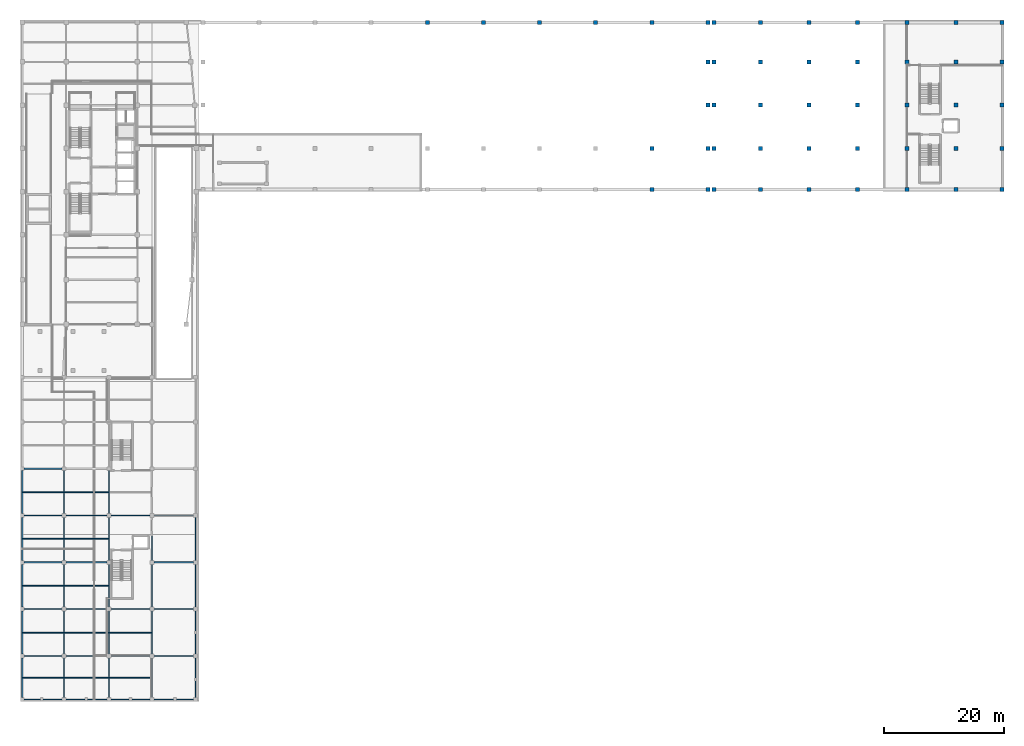
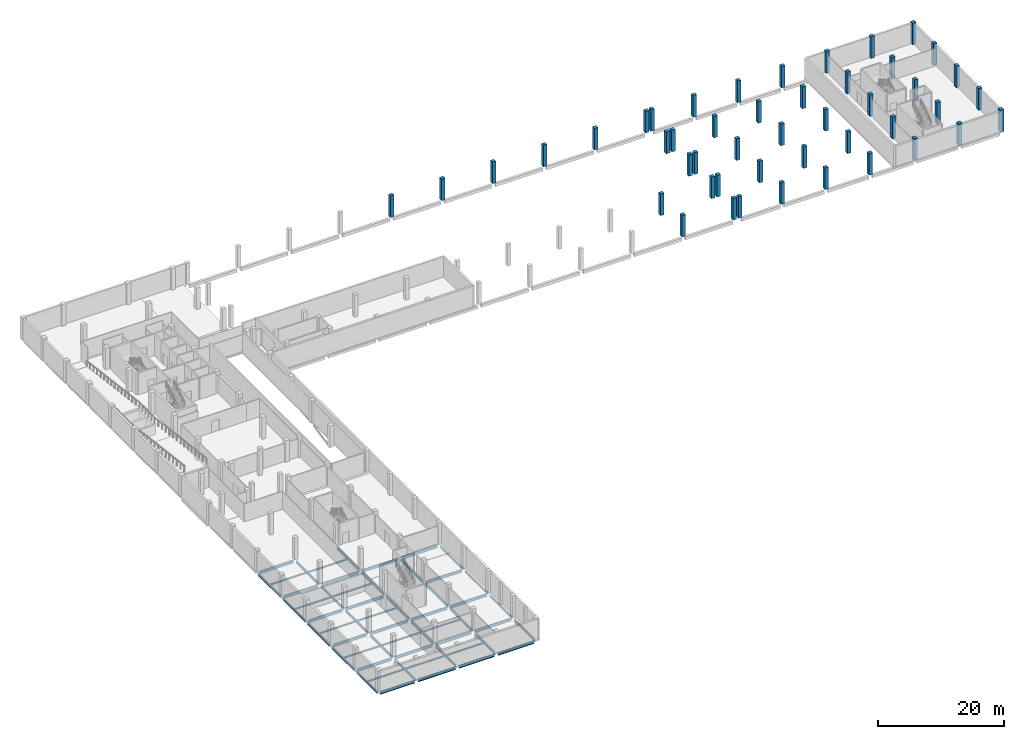
# One storey, part 2 of 15: 55 beams, 47 columns.
"""IFC4 building model written with IfcOpenShell, lengths in metres."""

from ifc_helpers import new_model, si_unit, direction, frame, origin, origin_2d, place, context, subcontext, project, spatial, rectangle, i_section, extrude, material, material_profile, profile_set, type_object, element, save


model = new_model("IFC4")

# Units and contexts
model_context = context("Model", 3, precision=1e-05, world=origin(), true_north=direction((0.0, 1.0)))
body_context = subcontext(model_context, "Body", "Model", "MODEL_VIEW")
ifc_project = project(units=[si_unit("LENGTHUNIT", "METRE"), si_unit("AREAUNIT", "SQUARE_METRE"), si_unit("VOLUMEUNIT", "CUBIC_METRE"), si_unit("PLANEANGLEUNIT", "RADIAN"), si_unit("MASSUNIT", "GRAM", prefix="KILO")], contexts=[model_context])

# Site, building, storey
site_placement = place(None, origin())
site = spatial("IfcSite", under=ifc_project, at=site_placement, CompositionType="ELEMENT")
building_placement = place(site_placement, origin())
building = spatial("IfcBuilding", under=site, at=building_placement, Name="Quillay Park Conservatory", CompositionType="ELEMENT")
storey_placement = place(building_placement, frame((0.0, 0.0, -4.199951171875)))
storey = spatial("IfcBuildingStorey", under=building, at=storey_placement, Name="B1", CompositionType="ELEMENT", Elevation=-4.199951171875)

# Columns
ifc_material_1 = material(Name="Concrete C40/50 (NCh170 Concrete C40/50)", Category="concrete")
ifc_material_profile_1 = material_profile(ifc_material_1, rectangle(XDim=0.64990234375, YDim=0.64990234375, at=origin_2d()), Name="RC650x650")
ifc_profile_set_1 = profile_set([ifc_material_profile_1], Name="Concrete C40/50 (NCh170 Concrete C40/50)")
column_type = type_object("IfcColumnType", Name="REINFORCED CONCRETE COLUMN 650", PredefinedType="COLUMN", material=ifc_profile_set_1)
for number, where, z_axis, x_axis, name in (
    (1, (68.072265625, 113.39990234375, 0.0), (0.0, 0.0, 1.0), (1.0, 0.0, 0.0), "B1 column COL-V1-B1-4-2"),
    (2, (77.427734375, 113.39990234375, 0.0), (0.0, 0.0, 1.0), (1.0, 0.0, 0.0), "B1 column COL-V1-B1-5-2"),
    (3, (86.783203125, 113.39990234375, 0.0), (0.0, 0.0, 1.0), (1.0, 0.0, 0.0), "B1 column COL-V1-B1-6-2"),
    (4, (96.138916015625, 113.39990234375, 0.0), (0.0, 0.0, 1.0), (1.0, 0.0, 0.0), "B1 column COL-V1-B1-7-2"),
    (5, (105.494384765625, 85.550048828125, 0.0), (0.0, 0.0, 1.0), (1.0, 0.0, 0.0), "B1 column COL-V1-B1-8-0"),
    (6, (105.494384765625, 92.39990234375, 0.0), (0.0, 0.0, 1.0), (1.0, 0.0, 0.0), "B1 column COL-V1-B1-8-1"),
    (7, (105.494384765625, 113.39990234375, 0.0), (0.0, 0.0, 1.0), (1.0, 0.0, 0.0), "B1 column COL-V1-B1-8-2"),
    (8, (114.85009765625, 85.550048828125, 0.0), (0.0, 0.0, 1.0), (1.0, 0.0, 0.0), "B1 column COL-V1-B1-9-0"),
    (9, (114.85009765625, 92.39990234375, 0.0), (0.0, 0.0, 1.0), (1.0, 0.0, 0.0), "B1 column COL-V1-B1-9-1"),
    (10, (114.85009765625, 113.39990234375, 0.0), (0.0, 0.0, 1.0), (1.0, 0.0, 0.0), "B1 column COL-V1-B1-9-2"),
    (11, (114.85009765625, 99.60009765625, 0.0), (0.0, 0.0, 1.0), (1.0, 0.0, 0.0), "B1 column COL-V1E-B1-E-0"),
    (12, (114.85009765625, 106.800048828125, 0.0), (0.0, 0.0, 1.0), (1.0, 0.0, 0.0), "B1 column COL-V1E-B1-E-1"),
    (13, (115.85009765625, 85.550048828125, 0.0), (0.0, 0.0, 1.0), (1.0, 0.0, 0.0), "B1 column COL-V2-B1-0-0"),
    (14, (115.85009765625, 92.39990234375, 0.0), (0.0, 0.0, 1.0), (1.0, 0.0, 0.0), "B1 column COL-V2-B1-0-1"),
    (15, (115.85009765625, 99.60009765625, 0.0), (0.0, 0.0, 1.0), (1.0, 0.0, 0.0), "B1 column COL-V2-B1-0-2"),
    (16, (115.85009765625, 106.800048828125, 0.0), (0.0, 0.0, 1.0), (1.0, 0.0, 0.0), "B1 column COL-V2-B1-0-3"),
    (17, (115.85009765625, 113.39990234375, 0.0), (0.0, 0.0, 1.0), (1.0, 0.0, 0.0), "B1 column COL-V2-B1-0-4"),
    (18, (123.60009765625, 85.550048828125, 0.0), (0.0, 0.0, 1.0), (1.0, 0.0, 0.0), "B1 column COL-V2-B1-1-0"),
    (19, (123.60009765625, 92.39990234375, 0.0), (0.0, 0.0, 1.0), (1.0, 0.0, 0.0), "B1 column COL-V2-B1-1-1"),
    (20, (123.60009765625, 99.60009765625, 0.0), (0.0, 0.0, 1.0), (1.0, 0.0, 0.0), "B1 column COL-V2-B1-1-2"),
    (21, (123.60009765625, 106.800048828125, 0.0), (0.0, 0.0, 1.0), (1.0, 0.0, 0.0), "B1 column COL-V2-B1-1-3"),
    (22, (123.60009765625, 113.39990234375, 0.0), (0.0, 0.0, 1.0), (1.0, 0.0, 0.0), "B1 column COL-V2-B1-1-4"),
    (23, (131.699951171875, 85.550048828125, 0.0), (0.0, 0.0, 1.0), (1.0, 0.0, 0.0), "B1 column COL-V2-B1-2-0"),
    (24, (131.699951171875, 92.39990234375, 0.0), (0.0, 0.0, 1.0), (1.0, 0.0, 0.0), "B1 column COL-V2-B1-2-1"),
    (25, (131.699951171875, 99.60009765625, 0.0), (0.0, 0.0, 1.0), (1.0, 0.0, 0.0), "B1 column COL-V2-B1-2-2"),
    (26, (131.699951171875, 106.800048828125, 0.0), (0.0, 0.0, 1.0), (1.0, 0.0, 0.0), "B1 column COL-V2-B1-2-3"),
    (27, (131.699951171875, 113.39990234375, 0.0), (0.0, 0.0, 1.0), (1.0, 0.0, 0.0), "B1 column COL-V2-B1-2-4"),
    (28, (139.800048828125, 85.550048828125, 0.0), (0.0, 0.0, 1.0), (1.0, 0.0, 0.0), "B1 column COL-V2-B1-3-0"),
    (29, (139.800048828125, 92.39990234375, 0.0), (0.0, 0.0, 1.0), (1.0, 0.0, 0.0), "B1 column COL-V2-B1-3-1"),
    (30, (139.800048828125, 99.60009765625, 0.0), (0.0, 0.0, 1.0), (1.0, 0.0, 0.0), "B1 column COL-V2-B1-3-2"),
    (31, (139.800048828125, 106.800048828125, 0.0), (0.0, 0.0, 1.0), (1.0, 0.0, 0.0), "B1 column COL-V2-B1-3-3"),
    (32, (139.800048828125, 113.39990234375, 0.0), (0.0, 0.0, 1.0), (1.0, 0.0, 0.0), "B1 column COL-V2-B1-3-4"),
    (33, (148.0, 85.550048828125, 0.0), (0.0, 0.0, 1.0), (1.0, 0.0, 0.0), "B1 column COL-V2-B1-4-0"),
    (34, (148.0, 92.39990234375, 0.0), (0.0, 0.0, 1.0), (1.0, 0.0, 0.0), "B1 column COL-V2-B1-4-1"),
    (35, (148.0, 99.60009765625, 0.0), (0.0, 0.0, 1.0), (1.0, 0.0, 0.0), "B1 column COL-V2-B1-4-2"),
    (36, (148.0, 106.800048828125, 0.0), (0.0, 0.0, 1.0), (1.0, 0.0, 0.0), "B1 column COL-V2-B1-4-3"),
    (37, (148.0, 113.39990234375, 0.0), (0.0, 0.0, 1.0), (1.0, 0.0, 0.0), "B1 column COL-V2-B1-4-4"),
    (38, (156.199951171875, 85.550048828125, 0.0), (0.0, 0.0, 1.0), (1.0, 0.0, 0.0), "B1 column COL-V2-B1-5-0"),
    (39, (156.199951171875, 92.39990234375, 0.0), (0.0, 0.0, 1.0), (1.0, 0.0, 0.0), "B1 column COL-V2-B1-5-1"),
    (40, (156.199951171875, 99.60009765625, 0.0), (0.0, 0.0, 1.0), (1.0, 0.0, 0.0), "B1 column COL-V2-B1-5-2"),
    (41, (156.199951171875, 106.800048828125, 0.0), (0.0, 0.0, 1.0), (1.0, 0.0, 0.0), "B1 column COL-V2-B1-5-3"),
    (42, (156.199951171875, 113.39990234375, 0.0), (0.0, 0.0, 1.0), (1.0, 0.0, 0.0), "B1 column COL-V2-B1-5-4"),
    (43, (163.85009765625, 85.550048828125, 0.0), (0.0, 0.0, 1.0), (1.0, 0.0, 0.0), "B1 column COL-V2-B1-6-0"),
    (44, (163.85009765625, 92.39990234375, 0.0), (0.0, 0.0, 1.0), (1.0, 0.0, 0.0), "B1 column COL-V2-B1-6-1"),
    (45, (163.85009765625, 99.60009765625, 0.0), (0.0, 0.0, 1.0), (1.0, 0.0, 0.0), "B1 column COL-V2-B1-6-2"),
    (46, (163.85009765625, 106.800048828125, 0.0), (0.0, 0.0, 1.0), (1.0, 0.0, 0.0), "B1 column COL-V2-B1-6-3"),
    (47, (163.85009765625, 113.39990234375, 0.0), (0.0, 0.0, 1.0), (1.0, 0.0, 0.0), "B1 column COL-V2-B1-6-4"),
):
    element("IfcColumn", number, at=place(storey_placement, frame(where, z_axis=z_axis, x_axis=x_axis)), inside=storey, type_object=column_type, Name=name, PredefinedType="COLUMN", context=body_context, shape_type="SweptSolid", body=[
        extrude(rectangle(XDim=0.64990234375, YDim=0.64990234375, at=origin_2d()), origin(), (0.0, 0.0, 1.0), 4.199951171875),
    ])

# Beams
ifc_material_2 = material(Name="Steel ASTM A992 Grade 50", Category="steel")
ifc_material_profile_2 = material_profile(ifc_material_2, i_section(OverallWidth=0.166015625, OverallDepth=0.31298828125, WebThickness=0.006591796875, FlangeThickness=0.01123046875, FilletRadius=0.010009765625, at=origin_2d()), Name="W310x45")
ifc_profile_set_2 = profile_set([ifc_material_profile_2], Name="Steel ASTM A992 Grade 50")
beam_type_1 = type_object("IfcBeamType", Name="COMPOSITE FLOOR JOIST W310 X45", PredefinedType="JOIST", material=ifc_profile_set_2)
beam_1_placement = place(storey_placement, frame((0.64599609375, 4.175048828125, -0.396484375), z_axis=(1.0, 0.0, 0.0), x_axis=(0.0, 1.0, 0.0)))
element("IfcBeam", 48, at=beam_1_placement, inside=storey, type_object=beam_type_1, Name="B1 beam BM-V3J-1160", PredefinedType="JOIST", context=body_context, shape_type="SweptSolid", body=[
    extrude(i_section(OverallWidth=0.166015625, OverallDepth=0.31298828125, WebThickness=0.006591796875, FlangeThickness=0.01123046875, FilletRadius=0.010009765625, at=origin_2d()), origin(), (0.0, 0.0, 1.0), 6.758056640625),
])
beam_2_placement = place(storey_placement, frame((7.595947265625, 4.175048828125, -0.396484375), z_axis=(1.0, 0.0, 0.0), x_axis=(0.0, 1.0, 0.0)))
element("IfcBeam", 49, at=beam_2_placement, inside=storey, type_object=beam_type_1, Name="B1 beam BM-V3J-1161", PredefinedType="JOIST", context=body_context, shape_type="SweptSolid", body=[
    extrude(i_section(OverallWidth=0.166015625, OverallDepth=0.31298828125, WebThickness=0.006591796875, FlangeThickness=0.01123046875, FilletRadius=0.010009765625, at=origin_2d()), origin(), (0.0, 0.0, 1.0), 7.30810546875),
])
beam_3_placement = place(storey_placement, frame((15.095947265625, 4.175048828125, -0.396484375), z_axis=(1.0, 0.0, 0.0), x_axis=(0.0, 1.0, 0.0)))
element("IfcBeam", 50, at=beam_3_placement, inside=storey, type_object=beam_type_1, Name="B1 beam BM-V3J-1162", PredefinedType="JOIST", context=body_context, shape_type="SweptSolid", body=[
    extrude(i_section(OverallWidth=0.166015625, OverallDepth=0.31298828125, WebThickness=0.006591796875, FlangeThickness=0.01123046875, FilletRadius=0.010009765625, at=origin_2d()), origin(), (0.0, 0.0, 1.0), 6.9580078125),
])
beam_4_placement = place(storey_placement, frame((0.64599609375, 11.699951171875, -0.396484375), z_axis=(1.0, 0.0, 0.0), x_axis=(0.0, 1.0, 0.0)))
element("IfcBeam", 51, at=beam_4_placement, inside=storey, type_object=beam_type_1, Name="B1 beam BM-V3J-1163", PredefinedType="JOIST", context=body_context, shape_type="SweptSolid", body=[
    extrude(i_section(OverallWidth=0.166015625, OverallDepth=0.31298828125, WebThickness=0.006591796875, FlangeThickness=0.01123046875, FilletRadius=0.010009765625, at=origin_2d()), origin(), (0.0, 0.0, 1.0), 6.758056640625),
])
beam_5_placement = place(storey_placement, frame((7.595947265625, 11.699951171875, -0.396484375), z_axis=(1.0, 0.0, 0.0), x_axis=(0.0, 1.0, 0.0)))
element("IfcBeam", 52, at=beam_5_placement, inside=storey, type_object=beam_type_1, Name="B1 beam BM-V3J-1164", PredefinedType="JOIST", context=body_context, shape_type="SweptSolid", body=[
    extrude(i_section(OverallWidth=0.166015625, OverallDepth=0.31298828125, WebThickness=0.006591796875, FlangeThickness=0.01123046875, FilletRadius=0.010009765625, at=origin_2d()), origin(), (0.0, 0.0, 1.0), 7.30810546875),
])
beam_6_placement = place(storey_placement, frame((15.095947265625, 11.699951171875, -0.396484375), z_axis=(1.0, 0.0, 0.0), x_axis=(0.0, 1.0, 0.0)))
element("IfcBeam", 53, at=beam_6_placement, inside=storey, type_object=beam_type_1, Name="B1 beam BM-V3J-1165", PredefinedType="JOIST", context=body_context, shape_type="SweptSolid", body=[
    extrude(i_section(OverallWidth=0.166015625, OverallDepth=0.31298828125, WebThickness=0.006591796875, FlangeThickness=0.01123046875, FilletRadius=0.010009765625, at=origin_2d()), origin(), (0.0, 0.0, 1.0), 6.9580078125),
])
beam_7_placement = place(storey_placement, frame((0.64599609375, 19.5, -0.396484375), z_axis=(1.0, 0.0, 0.0), x_axis=(0.0, 1.0, 0.0)))
element("IfcBeam", 54, at=beam_7_placement, inside=storey, type_object=beam_type_1, Name="B1 beam BM-V3J-1166", PredefinedType="JOIST", context=body_context, shape_type="SweptSolid", body=[
    extrude(i_section(OverallWidth=0.166015625, OverallDepth=0.31298828125, WebThickness=0.006591796875, FlangeThickness=0.01123046875, FilletRadius=0.010009765625, at=origin_2d()), origin(), (0.0, 0.0, 1.0), 6.758056640625),
])
beam_8_placement = place(storey_placement, frame((7.595947265625, 19.5, -0.396484375), z_axis=(1.0, 0.0, 0.0), x_axis=(0.0, 1.0, 0.0)))
element("IfcBeam", 55, at=beam_8_placement, inside=storey, type_object=beam_type_1, Name="B1 beam BM-V3J-1167", PredefinedType="JOIST", context=body_context, shape_type="SweptSolid", body=[
    extrude(i_section(OverallWidth=0.166015625, OverallDepth=0.31298828125, WebThickness=0.006591796875, FlangeThickness=0.01123046875, FilletRadius=0.010009765625, at=origin_2d()), origin(), (0.0, 0.0, 1.0), 7.30810546875),
])
beam_9_placement = place(storey_placement, frame((0.64599609375, 27.300048828125, -0.396484375), z_axis=(1.0, 0.0, 0.0), x_axis=(0.0, 1.0, 0.0)))
element("IfcBeam", 56, at=beam_9_placement, inside=storey, type_object=beam_type_1, Name="B1 beam BM-V3J-1168", PredefinedType="JOIST", context=body_context, shape_type="SweptSolid", body=[
    extrude(i_section(OverallWidth=0.166015625, OverallDepth=0.31298828125, WebThickness=0.006591796875, FlangeThickness=0.01123046875, FilletRadius=0.010009765625, at=origin_2d()), origin(), (0.0, 0.0, 1.0), 6.758056640625),
])
beam_10_placement = place(storey_placement, frame((7.595947265625, 27.300048828125, -0.396484375), z_axis=(1.0, 0.0, 0.0), x_axis=(0.0, 1.0, 0.0)))
element("IfcBeam", 57, at=beam_10_placement, inside=storey, type_object=beam_type_1, Name="B1 beam BM-V3J-1169", PredefinedType="JOIST", context=body_context, shape_type="SweptSolid", body=[
    extrude(i_section(OverallWidth=0.166015625, OverallDepth=0.31298828125, WebThickness=0.006591796875, FlangeThickness=0.01123046875, FilletRadius=0.010009765625, at=origin_2d()), origin(), (0.0, 0.0, 1.0), 7.30810546875),
])
beam_11_placement = place(storey_placement, frame((0.64599609375, 35.10009765625, -0.396484375), z_axis=(1.0, 0.0, 0.0), x_axis=(0.0, 1.0, 0.0)))
element("IfcBeam", 58, at=beam_11_placement, inside=storey, type_object=beam_type_1, Name="B1 beam BM-V3J-1170", PredefinedType="JOIST", context=body_context, shape_type="SweptSolid", body=[
    extrude(i_section(OverallWidth=0.166015625, OverallDepth=0.31298828125, WebThickness=0.006591796875, FlangeThickness=0.01123046875, FilletRadius=0.010009765625, at=origin_2d()), origin(), (0.0, 0.0, 1.0), 6.758056640625),
])
beam_12_placement = place(storey_placement, frame((7.595947265625, 35.10009765625, -0.396484375), z_axis=(1.0, 0.0, 0.0), x_axis=(0.0, 1.0, 0.0)))
element("IfcBeam", 59, at=beam_12_placement, inside=storey, type_object=beam_type_1, Name="B1 beam BM-V3J-1171", PredefinedType="JOIST", context=body_context, shape_type="SweptSolid", body=[
    extrude(i_section(OverallWidth=0.166015625, OverallDepth=0.31298828125, WebThickness=0.006591796875, FlangeThickness=0.01123046875, FilletRadius=0.010009765625, at=origin_2d()), origin(), (0.0, 0.0, 1.0), 7.30810546875),
])
ifc_material_3 = material(Name="Steel ASTM A992 Grade 50", Category="steel")
ifc_material_profile_3 = material_profile(ifc_material_3, i_section(OverallWidth=0.19189453125, OverallDepth=0.462890625, WebThickness=0.010498046875, FlangeThickness=0.017578125, FilletRadius=0.012939453125, at=origin_2d()), Name="W460x89")
ifc_profile_set_3 = profile_set([ifc_material_profile_3], Name="Steel ASTM A992 Grade 50")
beam_type_2 = type_object("IfcBeamType", Name="PRIMARY FLOOR GIRDER W460 X89", PredefinedType="BEAM", material=ifc_profile_set_3)
beam_13_placement = place(storey_placement, frame((0.550048828125, 0.875, -0.471435546875), z_axis=(0.0, 1.0, 0.0), x_axis=(-1.0, 0.0, 0.0)))
element("IfcBeam", 60, at=beam_13_placement, inside=storey, type_object=beam_type_2, Name="B1 beam BM-V3Y-1125", PredefinedType="BEAM", context=body_context, shape_type="SweptSolid", body=[
    extrude(i_section(OverallWidth=0.19189453125, OverallDepth=0.462890625, WebThickness=0.010498046875, FlangeThickness=0.017578125, FilletRadius=0.012939453125, at=origin_2d()), origin(), (0.0, 0.0, 1.0), 6.60009765625),
])
for number, where, z_axis, x_axis, name in (
    (61, (0.550048828125, 8.125, -0.471435546875), (0.0, 1.0, 0.0), (-1.0, 0.0, 0.0), "B1 beam BM-V3Y-1126"),
    (62, (0.550048828125, 15.925048828125, -0.471435546875), (0.0, 1.0, 0.0), (-1.0, 0.0, 0.0), "B1 beam BM-V3Y-1127"),
    (63, (0.550048828125, 23.72509765625, -0.471435546875), (0.0, 1.0, 0.0), (-1.0, 0.0, 0.0), "B1 beam BM-V3Y-1128"),
):
    element("IfcBeam", number, at=place(storey_placement, frame(where, z_axis=z_axis, x_axis=x_axis)), inside=storey, type_object=beam_type_2, Name=name, PredefinedType="BEAM", context=body_context, shape_type="SweptSolid", body=[
        extrude(i_section(OverallWidth=0.19189453125, OverallDepth=0.462890625, WebThickness=0.010498046875, FlangeThickness=0.017578125, FilletRadius=0.012939453125, at=origin_2d()), origin(), (0.0, 0.0, 1.0), 7.14990234375),
    ])
beam_14_placement = place(storey_placement, frame((0.550048828125, 31.52490234375, -0.471435546875), z_axis=(0.0, 1.0, 0.0), x_axis=(-1.0, 0.0, 0.0)))
element("IfcBeam", 64, at=beam_14_placement, inside=storey, type_object=beam_type_2, Name="B1 beam BM-V3Y-1129", PredefinedType="BEAM", context=body_context, shape_type="SweptSolid", body=[
    extrude(i_section(OverallWidth=0.19189453125, OverallDepth=0.462890625, WebThickness=0.010498046875, FlangeThickness=0.017578125, FilletRadius=0.012939453125, at=origin_2d()), origin(), (0.0, 0.0, 1.0), 7.150146484375),
])
beam_15_placement = place(storey_placement, frame((7.5, 0.875, -0.471435546875), z_axis=(0.0, 1.0, 0.0), x_axis=(-1.0, 0.0, 0.0)))
element("IfcBeam", 65, at=beam_15_placement, inside=storey, type_object=beam_type_2, Name="B1 beam BM-V3Y-1132", PredefinedType="BEAM", context=body_context, shape_type="SweptSolid", body=[
    extrude(i_section(OverallWidth=0.19189453125, OverallDepth=0.462890625, WebThickness=0.010498046875, FlangeThickness=0.017578125, FilletRadius=0.012939453125, at=origin_2d()), origin(), (0.0, 0.0, 1.0), 6.60009765625),
])
for number, where, z_axis, x_axis, name in (
    (66, (7.5, 8.125, -0.471435546875), (0.0, 1.0, 0.0), (-1.0, 0.0, 0.0), "B1 beam BM-V3Y-1133"),
    (67, (7.5, 15.925048828125, -0.471435546875), (0.0, 1.0, 0.0), (-1.0, 0.0, 0.0), "B1 beam BM-V3Y-1134"),
    (68, (7.5, 23.72509765625, -0.471435546875), (0.0, 1.0, 0.0), (-1.0, 0.0, 0.0), "B1 beam BM-V3Y-1135"),
):
    element("IfcBeam", number, at=place(storey_placement, frame(where, z_axis=z_axis, x_axis=x_axis)), inside=storey, type_object=beam_type_2, Name=name, PredefinedType="BEAM", context=body_context, shape_type="SweptSolid", body=[
        extrude(i_section(OverallWidth=0.19189453125, OverallDepth=0.462890625, WebThickness=0.010498046875, FlangeThickness=0.017578125, FilletRadius=0.012939453125, at=origin_2d()), origin(), (0.0, 0.0, 1.0), 7.14990234375),
    ])
beam_16_placement = place(storey_placement, frame((7.5, 31.52490234375, -0.471435546875), z_axis=(0.0, 1.0, 0.0), x_axis=(-1.0, 0.0, 0.0)))
element("IfcBeam", 69, at=beam_16_placement, inside=storey, type_object=beam_type_2, Name="B1 beam BM-V3Y-1136", PredefinedType="BEAM", context=body_context, shape_type="SweptSolid", body=[
    extrude(i_section(OverallWidth=0.19189453125, OverallDepth=0.462890625, WebThickness=0.010498046875, FlangeThickness=0.017578125, FilletRadius=0.012939453125, at=origin_2d()), origin(), (0.0, 0.0, 1.0), 7.150146484375),
])
beam_17_placement = place(storey_placement, frame((15.0, 0.875, -0.471435546875), z_axis=(0.0, 1.0, 0.0), x_axis=(-1.0, 0.0, 0.0)))
element("IfcBeam", 70, at=beam_17_placement, inside=storey, type_object=beam_type_2, Name="B1 beam BM-V3Y-1139", PredefinedType="BEAM", context=body_context, shape_type="SweptSolid", body=[
    extrude(i_section(OverallWidth=0.19189453125, OverallDepth=0.462890625, WebThickness=0.010498046875, FlangeThickness=0.017578125, FilletRadius=0.012939453125, at=origin_2d()), origin(), (0.0, 0.0, 1.0), 6.60009765625),
])
for number, where, z_axis, x_axis, name in (
    (71, (15.0, 8.125, -0.471435546875), (0.0, 1.0, 0.0), (-1.0, 0.0, 0.0), "B1 beam BM-V3Y-1140"),
    (72, (15.0, 15.925048828125, -0.471435546875), (0.0, 1.0, 0.0), (-1.0, 0.0, 0.0), "B1 beam BM-V3Y-1141"),
    (73, (15.0, 23.72509765625, -0.471435546875), (0.0, 1.0, 0.0), (-1.0, 0.0, 0.0), "B1 beam BM-V3Y-1142"),
):
    element("IfcBeam", number, at=place(storey_placement, frame(where, z_axis=z_axis, x_axis=x_axis)), inside=storey, type_object=beam_type_2, Name=name, PredefinedType="BEAM", context=body_context, shape_type="SweptSolid", body=[
        extrude(i_section(OverallWidth=0.19189453125, OverallDepth=0.462890625, WebThickness=0.010498046875, FlangeThickness=0.017578125, FilletRadius=0.012939453125, at=origin_2d()), origin(), (0.0, 0.0, 1.0), 7.14990234375),
    ])
beam_18_placement = place(storey_placement, frame((15.0, 31.52490234375, -0.471435546875), z_axis=(0.0, 1.0, 0.0), x_axis=(-1.0, 0.0, 0.0)))
element("IfcBeam", 74, at=beam_18_placement, inside=storey, type_object=beam_type_2, Name="B1 beam BM-V3Y-1143", PredefinedType="BEAM", context=body_context, shape_type="SweptSolid", body=[
    extrude(i_section(OverallWidth=0.19189453125, OverallDepth=0.462890625, WebThickness=0.010498046875, FlangeThickness=0.017578125, FilletRadius=0.012939453125, at=origin_2d()), origin(), (0.0, 0.0, 1.0), 7.150146484375),
])
beam_19_placement = place(storey_placement, frame((22.14990234375, 0.875, -0.471435546875), z_axis=(0.0, 1.0, 0.0), x_axis=(-1.0, 0.0, 0.0)))
element("IfcBeam", 75, at=beam_19_placement, inside=storey, type_object=beam_type_2, Name="B1 beam BM-V3Y-1146", PredefinedType="BEAM", context=body_context, shape_type="SweptSolid", body=[
    extrude(i_section(OverallWidth=0.19189453125, OverallDepth=0.462890625, WebThickness=0.010498046875, FlangeThickness=0.017578125, FilletRadius=0.012939453125, at=origin_2d()), origin(), (0.0, 0.0, 1.0), 6.60009765625),
])
for number, where, z_axis, x_axis, name in (
    (76, (22.14990234375, 8.125, -0.471435546875), (0.0, 1.0, 0.0), (-1.0, 0.0, 0.0), "B1 beam BM-V3Y-1147"),
    (77, (22.14990234375, 15.925048828125, -0.471435546875), (0.0, 1.0, 0.0), (-1.0, 0.0, 0.0), "B1 beam BM-V3Y-1148"),
    (78, (22.14990234375, 23.72509765625, -0.471435546875), (0.0, 1.0, 0.0), (-1.0, 0.0, 0.0), "B1 beam BM-V3Y-1149"),
):
    element("IfcBeam", number, at=place(storey_placement, frame(where, z_axis=z_axis, x_axis=x_axis)), inside=storey, type_object=beam_type_2, Name=name, PredefinedType="BEAM", context=body_context, shape_type="SweptSolid", body=[
        extrude(i_section(OverallWidth=0.19189453125, OverallDepth=0.462890625, WebThickness=0.010498046875, FlangeThickness=0.017578125, FilletRadius=0.012939453125, at=origin_2d()), origin(), (0.0, 0.0, 1.0), 7.14990234375),
    ])
beam_20_placement = place(storey_placement, frame((29.449951171875, 0.875, -0.471435546875), z_axis=(0.0, 1.0, 0.0), x_axis=(-1.0, 0.0, 0.0)))
element("IfcBeam", 79, at=beam_20_placement, inside=storey, type_object=beam_type_2, Name="B1 beam BM-V3Y-1153", PredefinedType="BEAM", context=body_context, shape_type="SweptSolid", body=[
    extrude(i_section(OverallWidth=0.19189453125, OverallDepth=0.462890625, WebThickness=0.010498046875, FlangeThickness=0.017578125, FilletRadius=0.012939453125, at=origin_2d()), origin(), (0.0, 0.0, 1.0), 6.60009765625),
])
for number, where, z_axis, x_axis, name in (
    (80, (29.449951171875, 8.125, -0.471435546875), (0.0, 1.0, 0.0), (-1.0, 0.0, 0.0), "B1 beam BM-V3Y-1154"),
    (81, (29.449951171875, 15.925048828125, -0.471435546875), (0.0, 1.0, 0.0), (-1.0, 0.0, 0.0), "B1 beam BM-V3Y-1155"),
    (82, (29.449951171875, 23.72509765625, -0.471435546875), (0.0, 1.0, 0.0), (-1.0, 0.0, 0.0), "B1 beam BM-V3Y-1156"),
):
    element("IfcBeam", number, at=place(storey_placement, frame(where, z_axis=z_axis, x_axis=x_axis)), inside=storey, type_object=beam_type_2, Name=name, PredefinedType="BEAM", context=body_context, shape_type="SweptSolid", body=[
        extrude(i_section(OverallWidth=0.19189453125, OverallDepth=0.462890625, WebThickness=0.010498046875, FlangeThickness=0.017578125, FilletRadius=0.012939453125, at=origin_2d()), origin(), (0.0, 0.0, 1.0), 7.14990234375),
    ])
ifc_material_4 = material(Name="Steel ASTM A992 Grade 50", Category="steel")
ifc_material_profile_4 = material_profile(ifc_material_4, i_section(OverallWidth=0.2109375, OverallDepth=0.5390625, WebThickness=0.01171875, FlangeThickness=0.018798828125, FilletRadius=0.013916015625, at=origin_2d()), Name="W530x109")
ifc_profile_set_4 = profile_set([ifc_material_profile_4], Name="Steel ASTM A992 Grade 50")
beam_type_3 = type_object("IfcBeamType", Name="PRIMARY FLOOR GIRDER W530 X109", PredefinedType="BEAM", material=ifc_profile_set_4)
beam_21_placement = place(storey_placement, frame((0.875, 0.550048828125, -0.509521484375), z_axis=(1.0, 0.0, 0.0), x_axis=(0.0, 1.0, 0.0)))
element("IfcBeam", 83, at=beam_21_placement, inside=storey, type_object=beam_type_3, Name="B1 beam BM-V3X-1096", PredefinedType="BEAM", context=body_context, shape_type="SweptSolid", body=[
    extrude(i_section(OverallWidth=0.2109375, OverallDepth=0.5390625, WebThickness=0.01171875, FlangeThickness=0.018798828125, FilletRadius=0.013916015625, at=origin_2d()), origin(), (0.0, 0.0, 1.0), 6.300048828125),
])
beam_22_placement = place(storey_placement, frame((7.824951171875, 0.550048828125, -0.509521484375), z_axis=(1.0, 0.0, 0.0), x_axis=(0.0, 1.0, 0.0)))
element("IfcBeam", 84, at=beam_22_placement, inside=storey, type_object=beam_type_3, Name="B1 beam BM-V3X-1097", PredefinedType="BEAM", context=body_context, shape_type="SweptSolid", body=[
    extrude(i_section(OverallWidth=0.2109375, OverallDepth=0.5390625, WebThickness=0.01171875, FlangeThickness=0.018798828125, FilletRadius=0.013916015625, at=origin_2d()), origin(), (0.0, 0.0, 1.0), 6.85009765625),
])
beam_23_placement = place(storey_placement, frame((15.324951171875, 0.550048828125, -0.509521484375), z_axis=(1.0, 0.0, 0.0), x_axis=(0.0, 1.0, 0.0)))
element("IfcBeam", 85, at=beam_23_placement, inside=storey, type_object=beam_type_3, Name="B1 beam BM-V3X-1098", PredefinedType="BEAM", context=body_context, shape_type="SweptSolid", body=[
    extrude(i_section(OverallWidth=0.2109375, OverallDepth=0.5390625, WebThickness=0.01171875, FlangeThickness=0.018798828125, FilletRadius=0.013916015625, at=origin_2d()), origin(), (0.0, 0.0, 1.0), 6.5),
])
beam_24_placement = place(storey_placement, frame((22.47509765625, 0.550048828125, -0.509521484375), z_axis=(1.0, 0.0, 0.0), x_axis=(0.0, 1.0, 0.0)))
element("IfcBeam", 86, at=beam_24_placement, inside=storey, type_object=beam_type_3, Name="B1 beam BM-V3X-1099", PredefinedType="BEAM", context=body_context, shape_type="SweptSolid", body=[
    extrude(i_section(OverallWidth=0.2109375, OverallDepth=0.5390625, WebThickness=0.01171875, FlangeThickness=0.018798828125, FilletRadius=0.013916015625, at=origin_2d()), origin(), (0.0, 0.0, 1.0), 6.64990234375),
])
beam_25_placement = place(storey_placement, frame((0.875, 7.800048828125, -0.509521484375), z_axis=(1.0, 0.0, 0.0), x_axis=(0.0, 1.0, 0.0)))
element("IfcBeam", 87, at=beam_25_placement, inside=storey, type_object=beam_type_3, Name="B1 beam BM-V3X-1100", PredefinedType="BEAM", context=body_context, shape_type="SweptSolid", body=[
    extrude(i_section(OverallWidth=0.2109375, OverallDepth=0.5390625, WebThickness=0.01171875, FlangeThickness=0.018798828125, FilletRadius=0.013916015625, at=origin_2d()), origin(), (0.0, 0.0, 1.0), 6.300048828125),
])
beam_26_placement = place(storey_placement, frame((7.824951171875, 7.800048828125, -0.509521484375), z_axis=(1.0, 0.0, 0.0), x_axis=(0.0, 1.0, 0.0)))
element("IfcBeam", 88, at=beam_26_placement, inside=storey, type_object=beam_type_3, Name="B1 beam BM-V3X-1101", PredefinedType="BEAM", context=body_context, shape_type="SweptSolid", body=[
    extrude(i_section(OverallWidth=0.2109375, OverallDepth=0.5390625, WebThickness=0.01171875, FlangeThickness=0.018798828125, FilletRadius=0.013916015625, at=origin_2d()), origin(), (0.0, 0.0, 1.0), 6.85009765625),
])
beam_27_placement = place(storey_placement, frame((15.324951171875, 7.800048828125, -0.509521484375), z_axis=(1.0, 0.0, 0.0), x_axis=(0.0, 1.0, 0.0)))
element("IfcBeam", 89, at=beam_27_placement, inside=storey, type_object=beam_type_3, Name="B1 beam BM-V3X-1102", PredefinedType="BEAM", context=body_context, shape_type="SweptSolid", body=[
    extrude(i_section(OverallWidth=0.2109375, OverallDepth=0.5390625, WebThickness=0.01171875, FlangeThickness=0.018798828125, FilletRadius=0.013916015625, at=origin_2d()), origin(), (0.0, 0.0, 1.0), 6.5),
])
beam_28_placement = place(storey_placement, frame((22.47509765625, 7.800048828125, -0.509521484375), z_axis=(1.0, 0.0, 0.0), x_axis=(0.0, 1.0, 0.0)))
element("IfcBeam", 90, at=beam_28_placement, inside=storey, type_object=beam_type_3, Name="B1 beam BM-V3X-1103", PredefinedType="BEAM", context=body_context, shape_type="SweptSolid", body=[
    extrude(i_section(OverallWidth=0.2109375, OverallDepth=0.5390625, WebThickness=0.01171875, FlangeThickness=0.018798828125, FilletRadius=0.013916015625, at=origin_2d()), origin(), (0.0, 0.0, 1.0), 6.64990234375),
])
beam_29_placement = place(storey_placement, frame((0.875, 15.60009765625, -0.509521484375), z_axis=(1.0, 0.0, 0.0), x_axis=(0.0, 1.0, 0.0)))
element("IfcBeam", 91, at=beam_29_placement, inside=storey, type_object=beam_type_3, Name="B1 beam BM-V3X-1104", PredefinedType="BEAM", context=body_context, shape_type="SweptSolid", body=[
    extrude(i_section(OverallWidth=0.2109375, OverallDepth=0.5390625, WebThickness=0.01171875, FlangeThickness=0.018798828125, FilletRadius=0.013916015625, at=origin_2d()), origin(), (0.0, 0.0, 1.0), 6.300048828125),
])
beam_30_placement = place(storey_placement, frame((7.824951171875, 15.60009765625, -0.509521484375), z_axis=(1.0, 0.0, 0.0), x_axis=(0.0, 1.0, 0.0)))
element("IfcBeam", 92, at=beam_30_placement, inside=storey, type_object=beam_type_3, Name="B1 beam BM-V3X-1105", PredefinedType="BEAM", context=body_context, shape_type="SweptSolid", body=[
    extrude(i_section(OverallWidth=0.2109375, OverallDepth=0.5390625, WebThickness=0.01171875, FlangeThickness=0.018798828125, FilletRadius=0.013916015625, at=origin_2d()), origin(), (0.0, 0.0, 1.0), 6.85009765625),
])
beam_31_placement = place(storey_placement, frame((15.324951171875, 15.60009765625, -0.509521484375), z_axis=(1.0, 0.0, 0.0), x_axis=(0.0, 1.0, 0.0)))
element("IfcBeam", 93, at=beam_31_placement, inside=storey, type_object=beam_type_3, Name="B1 beam BM-V3X-1106", PredefinedType="BEAM", context=body_context, shape_type="SweptSolid", body=[
    extrude(i_section(OverallWidth=0.2109375, OverallDepth=0.5390625, WebThickness=0.01171875, FlangeThickness=0.018798828125, FilletRadius=0.013916015625, at=origin_2d()), origin(), (0.0, 0.0, 1.0), 6.5),
])
beam_32_placement = place(storey_placement, frame((22.47509765625, 15.60009765625, -0.509521484375), z_axis=(1.0, 0.0, 0.0), x_axis=(0.0, 1.0, 0.0)))
element("IfcBeam", 94, at=beam_32_placement, inside=storey, type_object=beam_type_3, Name="B1 beam BM-V3X-1107", PredefinedType="BEAM", context=body_context, shape_type="SweptSolid", body=[
    extrude(i_section(OverallWidth=0.2109375, OverallDepth=0.5390625, WebThickness=0.01171875, FlangeThickness=0.018798828125, FilletRadius=0.013916015625, at=origin_2d()), origin(), (0.0, 0.0, 1.0), 6.64990234375),
])
beam_33_placement = place(storey_placement, frame((0.875, 23.39990234375, -0.509521484375), z_axis=(1.0, 0.0, 0.0), x_axis=(0.0, 1.0, 0.0)))
element("IfcBeam", 95, at=beam_33_placement, inside=storey, type_object=beam_type_3, Name="B1 beam BM-V3X-1108", PredefinedType="BEAM", context=body_context, shape_type="SweptSolid", body=[
    extrude(i_section(OverallWidth=0.2109375, OverallDepth=0.5390625, WebThickness=0.01171875, FlangeThickness=0.018798828125, FilletRadius=0.013916015625, at=origin_2d()), origin(), (0.0, 0.0, 1.0), 6.300048828125),
])
beam_34_placement = place(storey_placement, frame((7.824951171875, 23.39990234375, -0.509521484375), z_axis=(1.0, 0.0, 0.0), x_axis=(0.0, 1.0, 0.0)))
element("IfcBeam", 96, at=beam_34_placement, inside=storey, type_object=beam_type_3, Name="B1 beam BM-V3X-1109", PredefinedType="BEAM", context=body_context, shape_type="SweptSolid", body=[
    extrude(i_section(OverallWidth=0.2109375, OverallDepth=0.5390625, WebThickness=0.01171875, FlangeThickness=0.018798828125, FilletRadius=0.013916015625, at=origin_2d()), origin(), (0.0, 0.0, 1.0), 6.85009765625),
])
beam_35_placement = place(storey_placement, frame((22.47509765625, 23.39990234375, -0.509521484375), z_axis=(1.0, 0.0, 0.0), x_axis=(0.0, 1.0, 0.0)))
element("IfcBeam", 97, at=beam_35_placement, inside=storey, type_object=beam_type_3, Name="B1 beam BM-V3X-1110", PredefinedType="BEAM", context=body_context, shape_type="SweptSolid", body=[
    extrude(i_section(OverallWidth=0.2109375, OverallDepth=0.5390625, WebThickness=0.01171875, FlangeThickness=0.018798828125, FilletRadius=0.013916015625, at=origin_2d()), origin(), (0.0, 0.0, 1.0), 6.64990234375),
])
beam_36_placement = place(storey_placement, frame((0.875, 31.199951171875, -0.509521484375), z_axis=(1.0, 0.0, 0.0), x_axis=(0.0, 1.0, 0.0)))
element("IfcBeam", 98, at=beam_36_placement, inside=storey, type_object=beam_type_3, Name="B1 beam BM-V3X-1111", PredefinedType="BEAM", context=body_context, shape_type="SweptSolid", body=[
    extrude(i_section(OverallWidth=0.2109375, OverallDepth=0.5390625, WebThickness=0.01171875, FlangeThickness=0.018798828125, FilletRadius=0.013916015625, at=origin_2d()), origin(), (0.0, 0.0, 1.0), 6.300048828125),
])
beam_37_placement = place(storey_placement, frame((7.824951171875, 31.199951171875, -0.509521484375), z_axis=(1.0, 0.0, 0.0), x_axis=(0.0, 1.0, 0.0)))
element("IfcBeam", 99, at=beam_37_placement, inside=storey, type_object=beam_type_3, Name="B1 beam BM-V3X-1112", PredefinedType="BEAM", context=body_context, shape_type="SweptSolid", body=[
    extrude(i_section(OverallWidth=0.2109375, OverallDepth=0.5390625, WebThickness=0.01171875, FlangeThickness=0.018798828125, FilletRadius=0.013916015625, at=origin_2d()), origin(), (0.0, 0.0, 1.0), 6.85009765625),
])
beam_38_placement = place(storey_placement, frame((15.324951171875, 31.199951171875, -0.509521484375), z_axis=(1.0, 0.0, 0.0), x_axis=(0.0, 1.0, 0.0)))
element("IfcBeam", 100, at=beam_38_placement, inside=storey, type_object=beam_type_3, Name="B1 beam BM-V3X-1113", PredefinedType="BEAM", context=body_context, shape_type="SweptSolid", body=[
    extrude(i_section(OverallWidth=0.2109375, OverallDepth=0.5390625, WebThickness=0.01171875, FlangeThickness=0.018798828125, FilletRadius=0.013916015625, at=origin_2d()), origin(), (0.0, 0.0, 1.0), 6.5),
])
beam_39_placement = place(storey_placement, frame((22.47509765625, 31.199951171875, -0.509521484375), z_axis=(1.0, 0.0, 0.0), x_axis=(0.0, 1.0, 0.0)))
element("IfcBeam", 101, at=beam_39_placement, inside=storey, type_object=beam_type_3, Name="B1 beam BM-V3X-1114", PredefinedType="BEAM", context=body_context, shape_type="SweptSolid", body=[
    extrude(i_section(OverallWidth=0.2109375, OverallDepth=0.5390625, WebThickness=0.01171875, FlangeThickness=0.018798828125, FilletRadius=0.013916015625, at=origin_2d()), origin(), (0.0, 0.0, 1.0), 6.64990234375),
])
beam_40_placement = place(storey_placement, frame((0.875, 39.0, -0.509521484375), z_axis=(1.0, 0.0, 0.0), x_axis=(0.0, 1.0, 0.0)))
element("IfcBeam", 102, at=beam_40_placement, inside=storey, type_object=beam_type_3, Name="B1 beam BM-V3X-1115", PredefinedType="BEAM", context=body_context, shape_type="SweptSolid", body=[
    extrude(i_section(OverallWidth=0.2109375, OverallDepth=0.5390625, WebThickness=0.01171875, FlangeThickness=0.018798828125, FilletRadius=0.013916015625, at=origin_2d()), origin(), (0.0, 0.0, 1.0), 6.300048828125),
])

save(model, "model.ifc")
